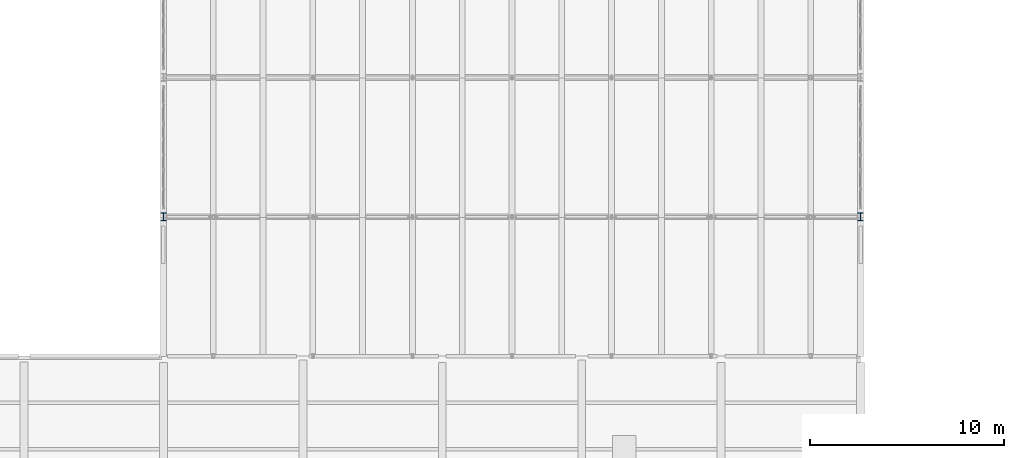
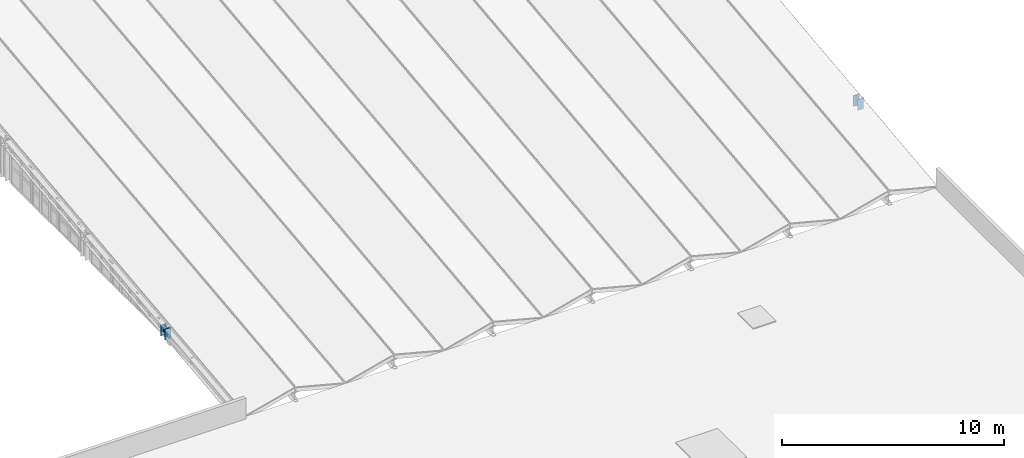
# One storey, part 5 of 48: 2 columns.
"""IFC4 building model written with IfcOpenShell, lengths in metres."""

from ifc_helpers import new_model, si_unit, direction, frame, origin, origin_2d, place, context, subcontext, project, spatial, i_section, extrude, material, material_profile, profile_set, type_object, element, save


model = new_model("IFC4")

# Units and contexts
model_context = context("Model", 3, precision=1e-05, world=origin(), true_north=direction((0.0, 1.0)))
body_context = subcontext(model_context, "Body", "Model", "MODEL_VIEW")
ifc_project = project(units=[si_unit("LENGTHUNIT", "METRE"), si_unit("AREAUNIT", "SQUARE_METRE"), si_unit("VOLUMEUNIT", "CUBIC_METRE"), si_unit("PLANEANGLEUNIT", "RADIAN"), si_unit("MASSUNIT", "GRAM", prefix="KILO"), si_unit("THERMODYNAMICTEMPERATUREUNIT", "KELVIN"), si_unit("POWERUNIT", "WATT")], contexts=[model_context])

# Site, building, storey
site_placement = place(None, origin())
site = spatial("IfcSite", under=ifc_project, at=site_placement, CompositionType="ELEMENT")
building_placement = place(site_placement, origin())
building = spatial("IfcBuilding", under=site, at=building_placement, Name="Kaldorven Railside Theatre", CompositionType="ELEMENT")
storey_placement = place(building_placement, frame((0.0, 0.0, 18.89990234375)))
storey = spatial("IfcBuildingStorey", under=building, at=storey_placement, Name="L04", CompositionType="ELEMENT", Elevation=18.89990234375)

# Columns
ifc_material = material(Name="Steel S355", Category="steel")
ifc_material_profile = material_profile(ifc_material, i_section(OverallWidth=0.300048828125, OverallDepth=0.39990234375, WebThickness=0.013427734375, FlangeThickness=0.02392578125, at=origin_2d()), Name="HEB 400")
ifc_profile_set = profile_set([ifc_material_profile], Name="Steel S355")
column_type = type_object("IfcColumnType", Name="COL-HEB400", PredefinedType="COLUMN", material=ifc_profile_set)
for number, where, z_axis, x_axis, name in (
    (1, (87.199951171875, 48.0, 0.0), (0.0, 0.0, 1.0), (1.0, 0.0, 0.0), "V1 Folded-Roof Bearing Stanchion"),
    (2, (123.199951171875, 48.0, 0.0), (0.0, 0.0, 1.0), (1.0, 0.0, 0.0), "V1 Folded-Roof Bearing Stanchion"),
):
    element("IfcColumn", number, at=place(storey_placement, frame(where, z_axis=z_axis, x_axis=x_axis)), inside=storey, type_object=column_type, Name=name, PredefinedType="COLUMN", context=body_context, shape_type="SweptSolid", body=[
        extrude(i_section(OverallWidth=0.300048828125, OverallDepth=0.39990234375, WebThickness=0.013427734375, FlangeThickness=0.02392578125, at=origin_2d()), origin(), (0.0, 0.0, 1.0), 0.603759765625),
    ])

save(model, "model.ifc")
